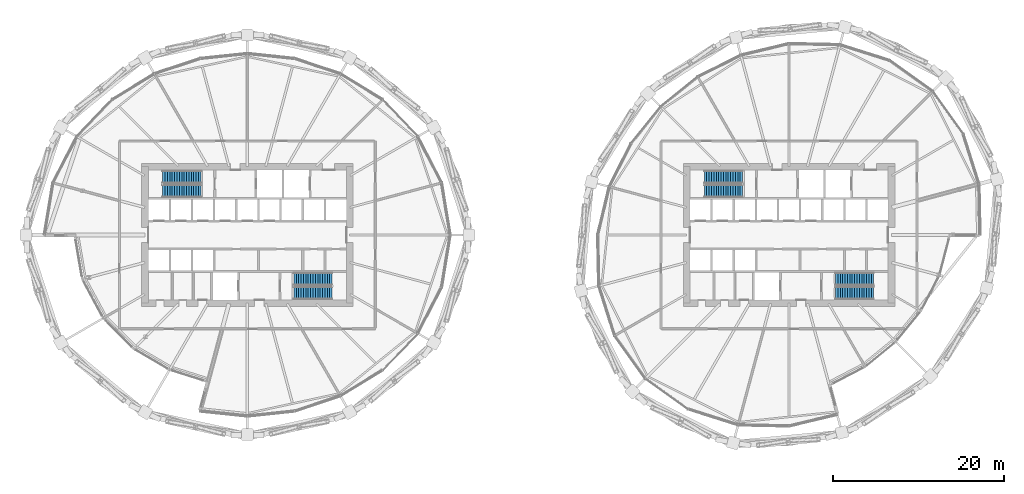
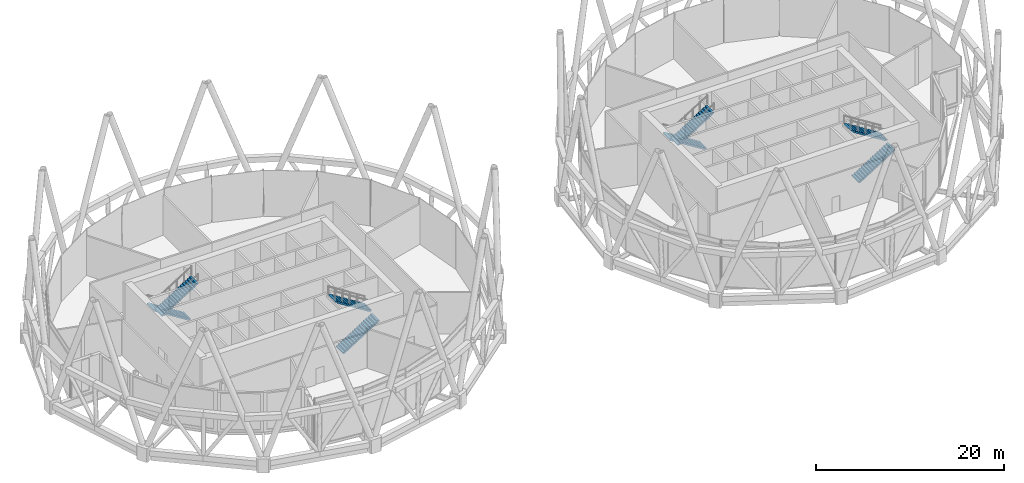
# One storey, part 31 of 33: 8 stair flights, 4 elements without a shape of their own.
"""IFC4 building model written with IfcOpenShell, lengths in metres."""

from ifc_helpers import new_model, si_unit, direction, frame, origin, place, context, subcontext, project, spatial, polyline, outline, extrude, material, type_object, element, aggregate, save


model = new_model("IFC4")

# Units and contexts
model_context = context("Model", 3, precision=1e-05, world=origin(), true_north=direction((0.0, 1.0)))
body_context = subcontext(model_context, "Body", "Model", "MODEL_VIEW")
ifc_project = project(units=[si_unit("LENGTHUNIT", "METRE"), si_unit("AREAUNIT", "SQUARE_METRE"), si_unit("VOLUMEUNIT", "CUBIC_METRE"), si_unit("PLANEANGLEUNIT", "RADIAN"), si_unit("MASSUNIT", "GRAM", prefix="KILO")], contexts=[model_context])

# Site, building, storey
site_placement = place(None, origin())
site = spatial("IfcSite", under=ifc_project, at=site_placement, CompositionType="ELEMENT")
building_placement = place(site_placement, origin())
building = spatial("IfcBuilding", under=site, at=building_placement, Name="Rimbun Link Towers", CompositionType="ELEMENT")
storey_placement = place(building_placement, frame((0.0, 0.0, 75.60009765625)))
storey = spatial("IfcBuildingStorey", under=building, at=storey_placement, Name="L18", CompositionType="ELEMENT", Elevation=75.60009765625)

# Stair, stair flights
ifc_material_1 = material(Name="Concrete C40/50", Category="concrete")
stair_type = type_object("IfcStairType", Name="Exit stair 6000 rise", PredefinedType="HALF_TURN_STAIR", material=ifc_material_1)
stair_1_placement = place(storey_placement, origin())
stair_1 = element("IfcStair", 1, at=stair_1_placement, inside=storey, type_object=stair_type, Name="L18 EXIT STAIR A", PredefinedType="HALF_TURN_STAIR")
ifc_material_2 = material(Name="Concrete C40/50", Category="concrete")
stair_flight_type = type_object("IfcStairFlightType", Name="Exit stair flight 6000 rise", PredefinedType="STRAIGHT", material=ifc_material_2)
stair_flight_1_placement = place(storey_placement, frame((-37.199951171875, 6.800048828125, 0.0), z_axis=(0.0, 0.0, 1.0), x_axis=(-1.0, 0.0, 0.0)))
stair_flight_1 = element("IfcStairFlight", 2, at=stair_flight_1_placement, type_object=stair_flight_type, Name="ST1 flight 1", NumberOfRisers=17, NumberOfTreads=16, PredefinedType="STRAIGHT", RiserHeight=0.176470588, TreadLength=0.28, context=body_context, shape_type="SweptSolid", body=[
    extrude(outline(polyline([(0.0, 0.0), (0.0, 0.176513671875), (0.280029296875, 0.176513671875), (0.280029296875, 0.35302734375), (0.56005859375, 0.35302734375), (0.56005859375, 0.529296875), (0.840087890625, 0.529296875), (0.840087890625, 0.705810546875), (1.1201171875, 0.705810546875), (1.1201171875, 0.88232421875), (1.39990234375, 0.88232421875), (1.39990234375, 1.058837890625), (1.679931640625, 1.058837890625), (1.679931640625, 1.2353515625), (1.9599609375, 1.2353515625), (1.9599609375, 1.411865234375), (2.239990234375, 1.411865234375), (2.239990234375, 1.588134765625), (2.52001953125, 1.588134765625), (2.52001953125, 1.7646484375), (2.800048828125, 1.7646484375), (2.800048828125, 1.941162109375), (3.080078125, 1.941162109375), (3.080078125, 2.11767578125), (3.360107421875, 2.11767578125), (3.360107421875, 2.294189453125), (3.639892578125, 2.294189453125), (3.639892578125, 2.470703125), (3.919921875, 2.470703125), (3.919921875, 2.64697265625), (4.199951171875, 2.64697265625), (4.199951171875, 2.823486328125), (4.47998046875, 2.823486328125), (4.47998046875, 3.0), (4.47998046875, 2.646240234375), (0.280029296875, 0.0), (0.0, 0.0)])), frame((0.0, 0.75, 0.0), z_axis=(0.0, -1.0, 0.0), x_axis=(1.0, 0.0, 0.0)), (0.0, 0.0, 1.0), 1.5),
])
stair_flight_2_placement = place(storey_placement, frame((-41.679931640625, 5.14990234375, 3.0), z_axis=(0.0, 0.0, 1.0), x_axis=(1.0, 0.0, 0.0)))
stair_flight_2 = element("IfcStairFlight", 3, at=stair_flight_2_placement, type_object=stair_flight_type, Name="ST1 flight 2", NumberOfRisers=17, NumberOfTreads=16, PredefinedType="STRAIGHT", RiserHeight=0.176470588, TreadLength=0.28, context=body_context, shape_type="SweptSolid", body=[
    extrude(outline(polyline([(0.0, 0.0), (0.0, 0.176513671875), (0.280029296875, 0.176513671875), (0.280029296875, 0.35302734375), (0.56005859375, 0.35302734375), (0.56005859375, 0.529296875), (0.840087890625, 0.529296875), (0.840087890625, 0.705810546875), (1.1201171875, 0.705810546875), (1.1201171875, 0.88232421875), (1.39990234375, 0.88232421875), (1.39990234375, 1.058837890625), (1.679931640625, 1.058837890625), (1.679931640625, 1.2353515625), (1.9599609375, 1.2353515625), (1.9599609375, 1.411865234375), (2.239990234375, 1.411865234375), (2.239990234375, 1.588134765625), (2.52001953125, 1.588134765625), (2.52001953125, 1.7646484375), (2.800048828125, 1.7646484375), (2.800048828125, 1.941162109375), (3.080078125, 1.941162109375), (3.080078125, 2.11767578125), (3.360107421875, 2.11767578125), (3.360107421875, 2.294189453125), (3.639892578125, 2.294189453125), (3.639892578125, 2.470703125), (3.919921875, 2.470703125), (3.919921875, 2.64697265625), (4.199951171875, 2.64697265625), (4.199951171875, 2.823486328125), (4.47998046875, 2.823486328125), (4.47998046875, 3.0), (4.47998046875, 2.646240234375), (0.280029296875, 0.0), (0.0, 0.0)])), frame((0.0, 0.75, 0.0), z_axis=(0.0, -1.0, 0.0), x_axis=(1.0, 0.0, 0.0)), (0.0, 0.0, 1.0), 1.5),
])
aggregate(stair_1, [stair_flight_1, stair_flight_2])

stair_2_placement = place(storey_placement, origin())
stair_2 = element("IfcStair", 4, at=stair_2_placement, inside=storey, type_object=stair_type, Name="L18 EXIT STAIR B", PredefinedType="HALF_TURN_STAIR")
stair_flight_3_placement = place(storey_placement, frame((-26.300048828125, -6.800048828125, 0.0), z_axis=(0.0, 0.0, 1.0), x_axis=(1.0, 0.0, 0.0)))
stair_flight_3 = element("IfcStairFlight", 5, at=stair_flight_3_placement, type_object=stair_flight_type, Name="ST2 flight 1", NumberOfRisers=17, NumberOfTreads=16, PredefinedType="STRAIGHT", RiserHeight=0.176470588, TreadLength=0.28, context=body_context, shape_type="SweptSolid", body=[
    extrude(outline(polyline([(0.0, 0.0), (0.0, 0.176513671875), (0.280029296875, 0.176513671875), (0.280029296875, 0.35302734375), (0.56005859375, 0.35302734375), (0.56005859375, 0.529296875), (0.840087890625, 0.529296875), (0.840087890625, 0.705810546875), (1.1201171875, 0.705810546875), (1.1201171875, 0.88232421875), (1.39990234375, 0.88232421875), (1.39990234375, 1.058837890625), (1.679931640625, 1.058837890625), (1.679931640625, 1.2353515625), (1.9599609375, 1.2353515625), (1.9599609375, 1.411865234375), (2.239990234375, 1.411865234375), (2.239990234375, 1.588134765625), (2.52001953125, 1.588134765625), (2.52001953125, 1.7646484375), (2.800048828125, 1.7646484375), (2.800048828125, 1.941162109375), (3.080078125, 1.941162109375), (3.080078125, 2.11767578125), (3.360107421875, 2.11767578125), (3.360107421875, 2.294189453125), (3.639892578125, 2.294189453125), (3.639892578125, 2.470703125), (3.919921875, 2.470703125), (3.919921875, 2.64697265625), (4.199951171875, 2.64697265625), (4.199951171875, 2.823486328125), (4.47998046875, 2.823486328125), (4.47998046875, 3.0), (4.47998046875, 2.646240234375), (0.280029296875, 0.0), (0.0, 0.0)])), frame((0.0, 0.75, 0.0), z_axis=(0.0, -1.0, 0.0), x_axis=(1.0, 0.0, 0.0)), (0.0, 0.0, 1.0), 1.5),
])
stair_flight_4_placement = place(storey_placement, frame((-21.820068359375, -5.14990234375, 3.0), z_axis=(0.0, 0.0, 1.0), x_axis=(-1.0, 0.0, 0.0)))
stair_flight_4 = element("IfcStairFlight", 6, at=stair_flight_4_placement, type_object=stair_flight_type, Name="ST2 flight 2", NumberOfRisers=17, NumberOfTreads=16, PredefinedType="STRAIGHT", RiserHeight=0.176470588, TreadLength=0.28, context=body_context, shape_type="SweptSolid", body=[
    extrude(outline(polyline([(0.0, 0.0), (0.0, 0.176513671875), (0.280029296875, 0.176513671875), (0.280029296875, 0.35302734375), (0.56005859375, 0.35302734375), (0.56005859375, 0.529296875), (0.840087890625, 0.529296875), (0.840087890625, 0.705810546875), (1.1201171875, 0.705810546875), (1.1201171875, 0.88232421875), (1.39990234375, 0.88232421875), (1.39990234375, 1.058837890625), (1.679931640625, 1.058837890625), (1.679931640625, 1.2353515625), (1.9599609375, 1.2353515625), (1.9599609375, 1.411865234375), (2.239990234375, 1.411865234375), (2.239990234375, 1.588134765625), (2.52001953125, 1.588134765625), (2.52001953125, 1.7646484375), (2.800048828125, 1.7646484375), (2.800048828125, 1.941162109375), (3.080078125, 1.941162109375), (3.080078125, 2.11767578125), (3.360107421875, 2.11767578125), (3.360107421875, 2.294189453125), (3.639892578125, 2.294189453125), (3.639892578125, 2.470703125), (3.919921875, 2.470703125), (3.919921875, 2.64697265625), (4.199951171875, 2.64697265625), (4.199951171875, 2.823486328125), (4.47998046875, 2.823486328125), (4.47998046875, 3.0), (4.47998046875, 2.646240234375), (0.280029296875, 0.0), (0.0, 0.0)])), frame((0.0, 0.75, 0.0), z_axis=(0.0, -1.0, 0.0), x_axis=(1.0, 0.0, 0.0)), (0.0, 0.0, 1.0), 1.5),
])
aggregate(stair_2, [stair_flight_3, stair_flight_4])

stair_3_placement = place(storey_placement, origin())
stair_3 = element("IfcStair", 7, at=stair_3_placement, inside=storey, type_object=stair_type, Name="L18 EXIT STAIR A", PredefinedType="HALF_TURN_STAIR")
stair_flight_5_placement = place(storey_placement, frame((26.300048828125, 6.800048828125, 0.0), z_axis=(0.0, 0.0, 1.0), x_axis=(-1.0, 0.0, 0.0)))
stair_flight_5 = element("IfcStairFlight", 8, at=stair_flight_5_placement, type_object=stair_flight_type, Name="ST3 flight 1", NumberOfRisers=17, NumberOfTreads=16, PredefinedType="STRAIGHT", RiserHeight=0.176470588, TreadLength=0.28, context=body_context, shape_type="SweptSolid", body=[
    extrude(outline(polyline([(0.0, 0.0), (0.0, 0.176513671875), (0.280029296875, 0.176513671875), (0.280029296875, 0.35302734375), (0.56005859375, 0.35302734375), (0.56005859375, 0.529296875), (0.840087890625, 0.529296875), (0.840087890625, 0.705810546875), (1.1201171875, 0.705810546875), (1.1201171875, 0.88232421875), (1.39990234375, 0.88232421875), (1.39990234375, 1.058837890625), (1.679931640625, 1.058837890625), (1.679931640625, 1.2353515625), (1.9599609375, 1.2353515625), (1.9599609375, 1.411865234375), (2.239990234375, 1.411865234375), (2.239990234375, 1.588134765625), (2.52001953125, 1.588134765625), (2.52001953125, 1.7646484375), (2.800048828125, 1.7646484375), (2.800048828125, 1.941162109375), (3.080078125, 1.941162109375), (3.080078125, 2.11767578125), (3.360107421875, 2.11767578125), (3.360107421875, 2.294189453125), (3.639892578125, 2.294189453125), (3.639892578125, 2.470703125), (3.919921875, 2.470703125), (3.919921875, 2.64697265625), (4.199951171875, 2.64697265625), (4.199951171875, 2.823486328125), (4.47998046875, 2.823486328125), (4.47998046875, 3.0), (4.47998046875, 2.646240234375), (0.280029296875, 0.0), (0.0, 0.0)])), frame((0.0, 0.75, 0.0), z_axis=(0.0, -1.0, 0.0), x_axis=(1.0, 0.0, 0.0)), (0.0, 0.0, 1.0), 1.5),
])
stair_flight_6_placement = place(storey_placement, frame((21.820068359375, 5.14990234375, 3.0), z_axis=(0.0, 0.0, 1.0), x_axis=(1.0, 0.0, 0.0)))
stair_flight_6 = element("IfcStairFlight", 9, at=stair_flight_6_placement, type_object=stair_flight_type, Name="ST3 flight 2", NumberOfRisers=17, NumberOfTreads=16, PredefinedType="STRAIGHT", RiserHeight=0.176470588, TreadLength=0.28, context=body_context, shape_type="SweptSolid", body=[
    extrude(outline(polyline([(0.0, 0.0), (0.0, 0.176513671875), (0.280029296875, 0.176513671875), (0.280029296875, 0.35302734375), (0.56005859375, 0.35302734375), (0.56005859375, 0.529296875), (0.840087890625, 0.529296875), (0.840087890625, 0.705810546875), (1.1201171875, 0.705810546875), (1.1201171875, 0.88232421875), (1.39990234375, 0.88232421875), (1.39990234375, 1.058837890625), (1.679931640625, 1.058837890625), (1.679931640625, 1.2353515625), (1.9599609375, 1.2353515625), (1.9599609375, 1.411865234375), (2.239990234375, 1.411865234375), (2.239990234375, 1.588134765625), (2.52001953125, 1.588134765625), (2.52001953125, 1.7646484375), (2.800048828125, 1.7646484375), (2.800048828125, 1.941162109375), (3.080078125, 1.941162109375), (3.080078125, 2.11767578125), (3.360107421875, 2.11767578125), (3.360107421875, 2.294189453125), (3.639892578125, 2.294189453125), (3.639892578125, 2.470703125), (3.919921875, 2.470703125), (3.919921875, 2.64697265625), (4.199951171875, 2.64697265625), (4.199951171875, 2.823486328125), (4.47998046875, 2.823486328125), (4.47998046875, 3.0), (4.47998046875, 2.646240234375), (0.280029296875, 0.0), (0.0, 0.0)])), frame((0.0, 0.75, 0.0), z_axis=(0.0, -1.0, 0.0), x_axis=(1.0, 0.0, 0.0)), (0.0, 0.0, 1.0), 1.5),
])
aggregate(stair_3, [stair_flight_5, stair_flight_6])

stair_4_placement = place(storey_placement, origin())
stair_4 = element("IfcStair", 10, at=stair_4_placement, inside=storey, type_object=stair_type, Name="L18 EXIT STAIR B", PredefinedType="HALF_TURN_STAIR")
stair_flight_7_placement = place(storey_placement, frame((37.199951171875, -6.800048828125, 0.0), z_axis=(0.0, 0.0, 1.0), x_axis=(1.0, 0.0, 0.0)))
stair_flight_7 = element("IfcStairFlight", 11, at=stair_flight_7_placement, type_object=stair_flight_type, Name="ST4 flight 1", NumberOfRisers=17, NumberOfTreads=16, PredefinedType="STRAIGHT", RiserHeight=0.176470588, TreadLength=0.28, context=body_context, shape_type="SweptSolid", body=[
    extrude(outline(polyline([(0.0, 0.0), (0.0, 0.176513671875), (0.280029296875, 0.176513671875), (0.280029296875, 0.35302734375), (0.56005859375, 0.35302734375), (0.56005859375, 0.529296875), (0.840087890625, 0.529296875), (0.840087890625, 0.705810546875), (1.1201171875, 0.705810546875), (1.1201171875, 0.88232421875), (1.39990234375, 0.88232421875), (1.39990234375, 1.058837890625), (1.679931640625, 1.058837890625), (1.679931640625, 1.2353515625), (1.9599609375, 1.2353515625), (1.9599609375, 1.411865234375), (2.239990234375, 1.411865234375), (2.239990234375, 1.588134765625), (2.52001953125, 1.588134765625), (2.52001953125, 1.7646484375), (2.800048828125, 1.7646484375), (2.800048828125, 1.941162109375), (3.080078125, 1.941162109375), (3.080078125, 2.11767578125), (3.360107421875, 2.11767578125), (3.360107421875, 2.294189453125), (3.639892578125, 2.294189453125), (3.639892578125, 2.470703125), (3.919921875, 2.470703125), (3.919921875, 2.64697265625), (4.199951171875, 2.64697265625), (4.199951171875, 2.823486328125), (4.47998046875, 2.823486328125), (4.47998046875, 3.0), (4.47998046875, 2.646240234375), (0.280029296875, 0.0), (0.0, 0.0)])), frame((0.0, 0.75, 0.0), z_axis=(0.0, -1.0, 0.0), x_axis=(1.0, 0.0, 0.0)), (0.0, 0.0, 1.0), 1.5),
])
stair_flight_8_placement = place(storey_placement, frame((41.679931640625, -5.14990234375, 3.0), z_axis=(0.0, 0.0, 1.0), x_axis=(-1.0, 0.0, 0.0)))
stair_flight_8 = element("IfcStairFlight", 12, at=stair_flight_8_placement, type_object=stair_flight_type, Name="ST4 flight 2", NumberOfRisers=17, NumberOfTreads=16, PredefinedType="STRAIGHT", RiserHeight=0.176470588, TreadLength=0.28, context=body_context, shape_type="SweptSolid", body=[
    extrude(outline(polyline([(0.0, 0.0), (0.0, 0.176513671875), (0.280029296875, 0.176513671875), (0.280029296875, 0.35302734375), (0.56005859375, 0.35302734375), (0.56005859375, 0.529296875), (0.840087890625, 0.529296875), (0.840087890625, 0.705810546875), (1.1201171875, 0.705810546875), (1.1201171875, 0.88232421875), (1.39990234375, 0.88232421875), (1.39990234375, 1.058837890625), (1.679931640625, 1.058837890625), (1.679931640625, 1.2353515625), (1.9599609375, 1.2353515625), (1.9599609375, 1.411865234375), (2.239990234375, 1.411865234375), (2.239990234375, 1.588134765625), (2.52001953125, 1.588134765625), (2.52001953125, 1.7646484375), (2.800048828125, 1.7646484375), (2.800048828125, 1.941162109375), (3.080078125, 1.941162109375), (3.080078125, 2.11767578125), (3.360107421875, 2.11767578125), (3.360107421875, 2.294189453125), (3.639892578125, 2.294189453125), (3.639892578125, 2.470703125), (3.919921875, 2.470703125), (3.919921875, 2.64697265625), (4.199951171875, 2.64697265625), (4.199951171875, 2.823486328125), (4.47998046875, 2.823486328125), (4.47998046875, 3.0), (4.47998046875, 2.646240234375), (0.280029296875, 0.0), (0.0, 0.0)])), frame((0.0, 0.75, 0.0), z_axis=(0.0, -1.0, 0.0), x_axis=(1.0, 0.0, 0.0)), (0.0, 0.0, 1.0), 1.5),
])
aggregate(stair_4, [stair_flight_7, stair_flight_8])

save(model, "model.ifc")
